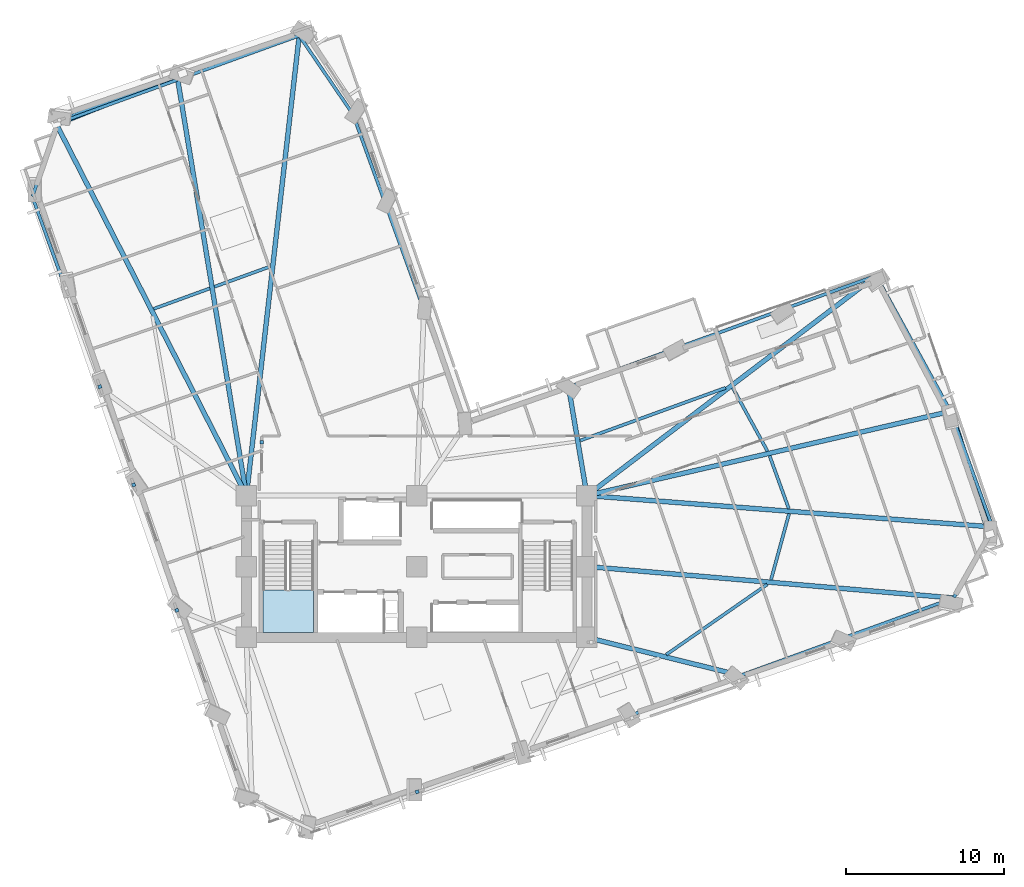
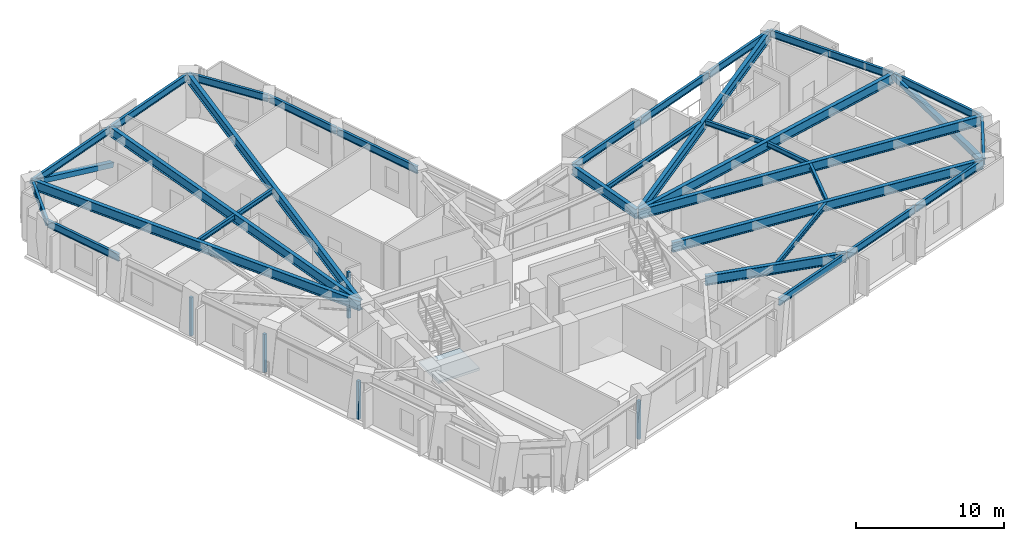
# One storey, part 2 of 15: 32 beams, 5 plates, 2 members, 1 slab, 1 element without a shape of its own.
"""IFC4 building model written with IfcOpenShell, lengths in metres."""

from ifc_helpers import new_model, si_unit, direction, frame, origin, origin_2d, place, context, subcontext, project, spatial, polyline, rectangle, hollow_rectangle, i_section, outline, extrude, material, layer, layer_set, material_profile, profile_set, type_object, element, aggregate, save


model = new_model("IFC4")

# Units and contexts
model_context = context("Model", 3, precision=1e-05, world=origin(), true_north=direction((0.0, 1.0)))
body_context = subcontext(model_context, "Body", "Model", "MODEL_VIEW")
ifc_project = project(units=[si_unit("LENGTHUNIT", "METRE"), si_unit("AREAUNIT", "SQUARE_METRE"), si_unit("VOLUMEUNIT", "CUBIC_METRE"), si_unit("PLANEANGLEUNIT", "RADIAN"), si_unit("MASSUNIT", "GRAM", prefix="KILO")], contexts=[model_context])

# Site, building, storey
site_placement = place(None, origin())
site = spatial("IfcSite", under=ifc_project, at=site_placement, CompositionType="ELEMENT")
building_placement = place(site_placement, origin())
building = spatial("IfcBuilding", under=site, at=building_placement, Name="Gaonmaruhae Medical Tower", CompositionType="ELEMENT")
storey_placement = place(building_placement, frame((0.0, 0.0, 104.39990234375)))
storey = spatial("IfcBuildingStorey", under=building, at=storey_placement, Name="L24", CompositionType="ELEMENT", Elevation=104.39990234375)

# Beams
ifc_material_1 = material(Name="Steel SM355", Category="steel")
ifc_material_profile_1 = material_profile(ifc_material_1, i_section(OverallWidth=0.199951171875, OverallDepth=0.39990234375, WebThickness=0.008056640625, FlangeThickness=0.012939453125, FilletRadius=0.012939453125, at=origin_2d()), Name="H-400x200x8x13")
ifc_profile_set_1 = profile_set([ifc_material_profile_1], Name="Steel SM355")
beam_type_1 = type_object("IfcBeamType", Name="FJ-01 Lower Zone Ward Floor Joist (H-400x200x8x13)", PredefinedType="JOIST", material=ifc_profile_set_1)
beam_1_placement = place(storey_placement, frame((40.632568359375, 6.710693359375, 3.580078125), z_axis=(0.82100347, 0.570923201708, 0.0), x_axis=(-0.570923201708, 0.82100347, 0.0)))
element("IfcBeam", 1, at=beam_1_placement, inside=storey, type_object=beam_type_1, Name="L24 Secondary Floor Joist FJ03", PredefinedType="JOIST", context=body_context, shape_type="SweptSolid", body=[
    extrude(i_section(OverallWidth=0.199951171875, OverallDepth=0.39990234375, WebThickness=0.008056640625, FlangeThickness=0.012939453125, FilletRadius=0.012939453125, at=origin_2d()), origin(), (0.0, 0.0, 1.0), 7.79736328125),
])
beam_2_placement = place(storey_placement, frame((47.2734375, 11.452880859375, 3.580078125), z_axis=(0.263307258771, 0.964712023082, 0.0), x_axis=(-0.964712023082, 0.263307258771, 0.0)))
element("IfcBeam", 2, at=beam_2_placement, inside=storey, type_object=beam_type_1, Name="L24 Secondary Floor Joist FJ04", PredefinedType="JOIST", context=body_context, shape_type="SweptSolid", body=[
    extrude(i_section(OverallWidth=0.199951171875, OverallDepth=0.39990234375, WebThickness=0.008056640625, FlangeThickness=0.012939453125, FilletRadius=0.012939453125, at=origin_2d()), origin(), (0.0, 0.0, 1.0), 4.352294921875),
])
beam_3_placement = place(storey_placement, frame((48.403076171875, 15.965087890625, 3.580078125), z_axis=(-0.34123269089, 0.9399788565, 0.0), x_axis=(-0.9399788565, -0.34123269089, 0.0)))
element("IfcBeam", 3, at=beam_3_placement, inside=storey, type_object=beam_type_1, Name="L24 Secondary Floor Joist FJ05", PredefinedType="JOIST", context=body_context, shape_type="SweptSolid", body=[
    extrude(i_section(OverallWidth=0.199951171875, OverallDepth=0.39990234375, WebThickness=0.008056640625, FlangeThickness=0.012939453125, FilletRadius=0.012939453125, at=origin_2d()), origin(), (0.0, 0.0, 1.0), 3.572265625),
])
beam_4_placement = place(storey_placement, frame((47.052734375, 19.612548828125, 3.580078125), z_axis=(-0.480860322824, 0.876797211408, 0.0), x_axis=(-0.876797211408, -0.480860322824, 0.0)))
element("IfcBeam", 4, at=beam_4_placement, inside=storey, type_object=beam_type_1, Name="L24 Secondary Floor Joist FJ06", PredefinedType="JOIST", context=body_context, shape_type="SweptSolid", body=[
    extrude(i_section(OverallWidth=0.199951171875, OverallDepth=0.39990234375, WebThickness=0.008056640625, FlangeThickness=0.012939453125, FilletRadius=0.012939453125, at=origin_2d()), origin(), (0.0, 0.0, 1.0), 4.588134765625),
])
beam_5_placement = place(storey_placement, frame((44.39404296875, 23.636962890625, 3.580078125), z_axis=(-0.939992241195, -0.341195818398, 0.0), x_axis=(0.341195818398, -0.939992241195, 0.0)))
element("IfcBeam", 5, at=beam_5_placement, inside=storey, type_object=beam_type_1, Name="L24 Secondary Floor Joist FJ07", PredefinedType="JOIST", context=body_context, shape_type="SweptSolid", body=[
    extrude(i_section(OverallWidth=0.199951171875, OverallDepth=0.39990234375, WebThickness=0.008056640625, FlangeThickness=0.012939453125, FilletRadius=0.012939453125, at=origin_2d()), origin(), (0.0, 0.0, 1.0), 9.81591796875),
])
beam_6_placement = place(storey_placement, frame((15.511474609375, 31.328857421875, 3.580078125), z_axis=(-0.939978696317, -0.341233132139, 0.0), x_axis=(0.341233132139, -0.939978696317, 0.0)))
element("IfcBeam", 6, at=beam_6_placement, inside=storey, type_object=beam_type_1, Name="L24 Secondary Floor Joist FJ11", PredefinedType="JOIST", context=body_context, shape_type="SweptSolid", body=[
    extrude(i_section(OverallWidth=0.199951171875, OverallDepth=0.39990234375, WebThickness=0.008056640625, FlangeThickness=0.012939453125, FilletRadius=0.012939453125, at=origin_2d()), origin(), (0.0, 0.0, 1.0), 3.767578125),
])
beam_7_placement = place(storey_placement, frame((11.671630859375, 29.93505859375, 3.580078125), z_axis=(-0.939983526468, -0.341219826458, 0.0), x_axis=(0.341219826458, -0.939983526468, 0.0)))
element("IfcBeam", 7, at=beam_7_placement, inside=storey, type_object=beam_type_1, Name="L24 Secondary Floor Joist FJ12", PredefinedType="JOIST", context=body_context, shape_type="SweptSolid", body=[
    extrude(i_section(OverallWidth=0.199951171875, OverallDepth=0.39990234375, WebThickness=0.008056640625, FlangeThickness=0.012939453125, FilletRadius=0.012939453125, at=origin_2d()), origin(), (0.0, 0.0, 1.0), 3.7841796875),
])

# Members
ifc_material_2 = material(Name="Steel SM420", Category="steel")
ifc_material_profile_2 = material_profile(ifc_material_2, hollow_rectangle(XDim=0.39990234375, YDim=0.39990234375, WallThickness=0.01611328125, at=origin_2d()), Name="RHS-400x400x16")
ifc_profile_set_2 = profile_set([ifc_material_profile_2], Name="Steel SM420")
member_type = type_object("IfcMemberType", Name="PB-01 Perimeter Solid-Bay Tube Brace Lower (RHS-400x400x16)", PredefinedType="BRACE", material=ifc_profile_set_2)
member_1_placement = place(storey_placement, frame((61.153076171875, 14.35107421875, 0.25), z_axis=(-0.282779667984, 0.884022379317, 0.372209742271), x_axis=(-0.95245775965, -0.304670668236, 0.0)))
element("IfcMember", 8, at=member_1_placement, inside=storey, type_object=member_type, Name="L24 Perimeter Tube Solid-Bay Brace E01-E02", PredefinedType="BRACE", context=body_context, shape_type="SweptSolid", body=[
    extrude(hollow_rectangle(XDim=0.39990234375, YDim=0.39990234375, WallThickness=0.01611328125, at=origin_2d()), origin(), (0.0, 0.0, 1.0), 8.812255859375),
])
member_2_placement = place(storey_placement, frame((9.94970703125, 43.572998046875, 0.25), z_axis=(-0.868399886346, -0.345862986957, 0.35533143915), x_axis=(0.370009679979, -0.929027898786, 0.0)))
element("IfcMember", 9, at=member_2_placement, inside=storey, type_object=member_type, Name="L24 Perimeter Tube Solid-Bay Brace N02-N03", PredefinedType="BRACE", context=body_context, shape_type="SweptSolid", body=[
    extrude(hollow_rectangle(XDim=0.39990234375, YDim=0.39990234375, WallThickness=0.01611328125, at=origin_2d()), origin(), (0.0, 0.0, 1.0), 9.23095703125),
])

# Beams
ifc_material_profile_3 = material_profile(ifc_material_2, i_section(OverallWidth=0.300048828125, OverallDepth=0.800048828125, WebThickness=0.013916015625, FlangeThickness=0.02587890625, FilletRadius=0.01806640625, at=origin_2d()), Name="H-800x300x14x26")
ifc_profile_set_3 = profile_set([ifc_material_profile_3], Name="Steel SM420")
beam_type_2 = type_object("IfcBeamType", Name="PG-02 Zone 2 Radial Floor Girder (H-800x300x14x26)", PredefinedType="BEAM", material=ifc_profile_set_3)
beam_8_placement = place(storey_placement, frame((35.6484375, 7.787841796875, 3.380126953125), z_axis=(0.97057370559, -0.240804240034, 0.0), x_axis=(0.240804240034, 0.97057370559, 0.0)))
element("IfcBeam", 10, at=beam_8_placement, inside=storey, type_object=beam_type_2, Name="L24 Radial Primary Girder S05", PredefinedType="BEAM", context=body_context, shape_type="SweptSolid", body=[
    extrude(i_section(OverallWidth=0.300048828125, OverallDepth=0.800048828125, WebThickness=0.013916015625, FlangeThickness=0.02587890625, FilletRadius=0.01806640625, at=origin_2d()), origin(), (0.0, 0.0, 1.0), 9.922607421875),
])
beam_9_placement = place(storey_placement, frame((35.64990234375, 12.295654296875, 3.380126953125), z_axis=(0.996323816003, -0.085667109592, 0.0), x_axis=(0.085667109592, 0.996323816003, 0.0)))
element("IfcBeam", 11, at=beam_9_placement, inside=storey, type_object=beam_type_2, Name="L24 Radial Primary Girder S07", PredefinedType="BEAM", context=body_context, shape_type="SweptSolid", body=[
    extrude(i_section(OverallWidth=0.300048828125, OverallDepth=0.800048828125, WebThickness=0.013916015625, FlangeThickness=0.02587890625, FilletRadius=0.01806640625, at=origin_2d()), origin(), (0.0, 0.0, 1.0), 23.249267578125),
])
beam_10_placement = place(storey_placement, frame((35.64990234375, 16.796142578125, 3.380126953125), z_axis=(0.997018837492, -0.077158523088, 0.0), x_axis=(0.077158523088, 0.997018837492, 0.0)))
element("IfcBeam", 12, at=beam_10_placement, inside=storey, type_object=beam_type_2, Name="L24 Radial Primary Girder E01", PredefinedType="BEAM", context=body_context, shape_type="SweptSolid", body=[
    extrude(i_section(OverallWidth=0.300048828125, OverallDepth=0.800048828125, WebThickness=0.013916015625, FlangeThickness=0.02587890625, FilletRadius=0.01806640625, at=origin_2d()), origin(), (0.0, 0.0, 1.0), 25.69921875),
])
beam_11_placement = place(storey_placement, frame((35.648681640625, 16.811279296875, 3.380126953125), z_axis=(0.974211433842, 0.225637058508, 0.0), x_axis=(-0.225637058508, 0.974211433842, 0.0)))
element("IfcBeam", 13, at=beam_11_placement, inside=storey, type_object=beam_type_2, Name="L24 Radial Primary Girder E02", PredefinedType="BEAM", context=body_context, shape_type="SweptSolid", body=[
    extrude(i_section(OverallWidth=0.300048828125, OverallDepth=0.800048828125, WebThickness=0.013916015625, FlangeThickness=0.02587890625, FilletRadius=0.01806640625, at=origin_2d()), origin(), (0.0, 0.0, 1.0), 23.571533203125),
])
beam_12_placement = place(storey_placement, frame((35.639892578125, 16.830322265625, 3.360107421875), z_axis=(0.795998114529, 0.605299100995, 0.0), x_axis=(-0.605299100995, 0.795998114529, 0.0)))
element("IfcBeam", 14, at=beam_12_placement, inside=storey, type_object=beam_type_2, Name="L24 Radial Primary Girder E03", PredefinedType="BEAM", context=body_context, shape_type="SweptSolid", body=[
    extrude(i_section(OverallWidth=0.300048828125, OverallDepth=0.800048828125, WebThickness=0.013916015625, FlangeThickness=0.02587890625, FilletRadius=0.01806640625, at=origin_2d()), origin(), (0.0, 0.0, 1.0), 22.94189453125),
])
beam_13_placement = place(storey_placement, frame((35.591552734375, 16.849365234375, 3.380126953125), z_axis=(-0.166999249021, 0.985957022809, 0.0), x_axis=(-0.985957022809, -0.166999249021, 0.0)))
element("IfcBeam", 15, at=beam_13_placement, inside=storey, type_object=beam_type_2, Name="L24 Radial Primary Girder EN03", PredefinedType="BEAM", context=body_context, shape_type="SweptSolid", body=[
    extrude(i_section(OverallWidth=0.300048828125, OverallDepth=0.800048828125, WebThickness=0.013916015625, FlangeThickness=0.02587890625, FilletRadius=0.01806640625, at=origin_2d()), origin(), (0.0, 0.0, 1.0), 6.865234375),
])
beam_14_placement = place(storey_placement, frame((14.005615234375, 16.849609375, 3.380126953125), z_axis=(0.114054498893, 0.99347449453, 0.0), x_axis=(-0.99347449453, 0.114054498893, 0.0)))
element("IfcBeam", 16, at=beam_14_placement, inside=storey, type_object=beam_type_2, Name="L24 Radial Primary Girder N01", PredefinedType="BEAM", context=body_context, shape_type="SweptSolid", body=[
    extrude(i_section(OverallWidth=0.300048828125, OverallDepth=0.800048828125, WebThickness=0.013916015625, FlangeThickness=0.02587890625, FilletRadius=0.01806640625, at=origin_2d()), origin(), (0.0, 0.0, 1.0), 29.267822265625),
])
beam_15_placement = place(storey_placement, frame((13.991943359375, 16.849365234375, 3.380126953125), z_axis=(-0.163023948921, 0.986622112097, 0.0), x_axis=(-0.986622112097, -0.163023948921, 0.0)))
element("IfcBeam", 17, at=beam_15_placement, inside=storey, type_object=beam_type_2, Name="L24 Radial Primary Girder N02", PredefinedType="BEAM", context=body_context, shape_type="SweptSolid", body=[
    extrude(i_section(OverallWidth=0.300048828125, OverallDepth=0.800048828125, WebThickness=0.013916015625, FlangeThickness=0.02587890625, FilletRadius=0.01806640625, at=origin_2d()), origin(), (0.0, 0.0, 1.0), 26.635986328125),
])
beam_16_placement = place(storey_placement, frame((13.977294921875, 16.844482421875, 3.380126953125), z_axis=(-0.455531905214, 0.890219457961, 0.0), x_axis=(-0.890219457961, -0.455531905214, 0.0)))
element("IfcBeam", 18, at=beam_16_placement, inside=storey, type_object=beam_type_2, Name="L24 Radial Primary Girder N03", PredefinedType="BEAM", context=body_context, shape_type="SweptSolid", body=[
    extrude(i_section(OverallWidth=0.300048828125, OverallDepth=0.800048828125, WebThickness=0.013916015625, FlangeThickness=0.02587890625, FilletRadius=0.01806640625, at=origin_2d()), origin(), (0.0, 0.0, 1.0), 26.388427734375),
])
ifc_material_profile_4 = material_profile(ifc_material_1, i_section(OverallWidth=0.199951171875, OverallDepth=0.60009765625, WebThickness=0.010986328125, FlangeThickness=0.01708984375, FilletRadius=0.012939453125, at=origin_2d()), Name="H-600x200x11x17")
ifc_profile_set_4 = profile_set([ifc_material_profile_4], Name="Steel SM355")
beam_type_3 = type_object("IfcBeamType", Name="SP-01 Lower Perimeter Spandrel Beam (H-600x200x11x17)", PredefinedType="SPANDREL", material=ifc_profile_set_4)
beam_17_placement = place(storey_placement, frame((38.597412109375, 2.943603515625, 3.47998046875), z_axis=(0.939995495643, 0.341186852283, 0.0), x_axis=(-0.341186852283, 0.939995495643, 0.0)))
element("IfcBeam", 19, at=beam_17_placement, inside=storey, type_object=beam_type_3, Name="L24 Perimeter Spandrel Beam S04-S05", PredefinedType="SPANDREL", context=body_context, shape_type="SweptSolid", body=[
    extrude(i_section(OverallWidth=0.199951171875, OverallDepth=0.60009765625, WebThickness=0.010986328125, FlangeThickness=0.01708984375, FilletRadius=0.012939453125, at=origin_2d()), origin(), (0.0, 0.0, 1.0), 7.119873046875),
])
beam_18_placement = place(storey_placement, frame((45.365234375, 5.400146484375, 3.47998046875), z_axis=(0.939988490084, 0.341206152507, 0.0), x_axis=(-0.341206152507, 0.939988490084, 0.0)))
element("IfcBeam", 20, at=beam_18_placement, inside=storey, type_object=beam_type_3, Name="L24 Perimeter Spandrel Beam S05-S06", PredefinedType="SPANDREL", context=body_context, shape_type="SweptSolid", body=[
    extrude(i_section(OverallWidth=0.199951171875, OverallDepth=0.60009765625, WebThickness=0.010986328125, FlangeThickness=0.01708984375, FilletRadius=0.012939453125, at=origin_2d()), origin(), (0.0, 0.0, 1.0), 7.1201171875),
])
beam_19_placement = place(storey_placement, frame((52.13330078125, 7.856689453125, 3.47998046875), z_axis=(0.939984497953, 0.341217150225, 0.0), x_axis=(-0.341217150225, 0.939984497953, 0.0)))
element("IfcBeam", 21, at=beam_19_placement, inside=storey, type_object=beam_type_3, Name="L24 Perimeter Spandrel Beam S06-S07", PredefinedType="SPANDREL", context=body_context, shape_type="SweptSolid", body=[
    extrude(i_section(OverallWidth=0.199951171875, OverallDepth=0.60009765625, WebThickness=0.010986328125, FlangeThickness=0.01708984375, FilletRadius=0.012939453125, at=origin_2d()), origin(), (0.0, 0.0, 1.0), 7.119873046875),
])
beam_20_placement = place(storey_placement, frame((58.882568359375, 10.3349609375, 3.47998046875), z_axis=(0.478740488201, 0.877956459602, 0.0), x_axis=(-0.877956459602, 0.478740488201, 0.0)))
element("IfcBeam", 22, at=beam_20_placement, inside=storey, type_object=beam_type_3, Name="L24 Perimeter Spandrel Beam S07-E01", PredefinedType="SPANDREL", context=body_context, shape_type="SweptSolid", body=[
    extrude(i_section(OverallWidth=0.199951171875, OverallDepth=0.60009765625, WebThickness=0.010986328125, FlangeThickness=0.01708984375, FilletRadius=0.012939453125, at=origin_2d()), origin(), (0.0, 0.0, 1.0), 5.056396484375),
])
beam_21_placement = place(storey_placement, frame((61.308837890625, 14.846923828125, 3.47998046875), z_axis=(-0.341192007004, 0.939993624636, 0.0), x_axis=(-0.939993624636, -0.341192007004, 0.0)))
element("IfcBeam", 23, at=beam_21_placement, inside=storey, type_object=beam_type_3, Name="L24 Perimeter Spandrel Beam E01-E02", PredefinedType="SPANDREL", context=body_context, shape_type="SweptSolid", body=[
    extrude(i_section(OverallWidth=0.199951171875, OverallDepth=0.60009765625, WebThickness=0.010986328125, FlangeThickness=0.01708984375, FilletRadius=0.012939453125, at=origin_2d()), origin(), (0.0, 0.0, 1.0), 7.719970703125),
])
beam_22_placement = place(storey_placement, frame((58.641845703125, 22.17626953125, 3.47998046875), z_axis=(-0.480836342737, 0.876810362338, 0.0), x_axis=(-0.876810362338, -0.480836342737, 0.0)))
element("IfcBeam", 24, at=beam_22_placement, inside=storey, type_object=beam_type_3, Name="L24 Perimeter Spandrel Beam E02-E03", PredefinedType="SPANDREL", context=body_context, shape_type="SweptSolid", body=[
    extrude(i_section(OverallWidth=0.199951171875, OverallDepth=0.60009765625, WebThickness=0.010986328125, FlangeThickness=0.01708984375, FilletRadius=0.012939453125, at=origin_2d()), origin(), (0.0, 0.0, 1.0), 9.7353515625),
])
beam_23_placement = place(storey_placement, frame((53.90380859375, 30.733642578125, 3.460205078125), z_axis=(-0.940000162189, -0.341173995323, 0.0), x_axis=(0.341173995323, -0.940000162189, 0.0)))
element("IfcBeam", 25, at=beam_23_placement, inside=storey, type_object=beam_type_3, Name="L24 Perimeter Spandrel Beam E03-EN01", PredefinedType="SPANDREL", context=body_context, shape_type="SweptSolid", body=[
    extrude(i_section(OverallWidth=0.199951171875, OverallDepth=0.60009765625, WebThickness=0.010986328125, FlangeThickness=0.01708984375, FilletRadius=0.012939453125, at=origin_2d()), origin(), (0.0, 0.0, 1.0), 6.27001953125),
])
beam_24_placement = place(storey_placement, frame((47.934814453125, 28.567138671875, 3.460205078125), z_axis=(-0.939984497953, -0.341217150225, 0.0), x_axis=(0.341217150225, -0.939984497953, 0.0)))
element("IfcBeam", 26, at=beam_24_placement, inside=storey, type_object=beam_type_3, Name="L24 Perimeter Spandrel Beam EN01-EN02", PredefinedType="SPANDREL", context=body_context, shape_type="SweptSolid", body=[
    extrude(i_section(OverallWidth=0.199951171875, OverallDepth=0.60009765625, WebThickness=0.010986328125, FlangeThickness=0.01708984375, FilletRadius=0.012939453125, at=origin_2d()), origin(), (0.0, 0.0, 1.0), 7.119873046875),
])
for number, where, z_axis, x_axis, name in (
    (27, (41.1669921875, 26.110595703125, 3.47998046875), (-0.939988490084, -0.341206152507, 0.0), (0.341206152507, -0.939988490084, 0.0), "L24 Perimeter Spandrel Beam EN02-EN03"),
    (28, (25.245849609375, 28.61865234375, 3.47998046875), (-0.341206152507, 0.939988490084, 0.0), (-0.939988490084, -0.341206152507, 0.0), "L24 Perimeter Spandrel Beam NE01-NE02"),
):
    element("IfcBeam", number, at=place(storey_placement, frame(where, z_axis=z_axis, x_axis=x_axis)), inside=storey, type_object=beam_type_3, Name=name, PredefinedType="SPANDREL", context=body_context, shape_type="SweptSolid", body=[
        extrude(i_section(OverallWidth=0.199951171875, OverallDepth=0.60009765625, WebThickness=0.010986328125, FlangeThickness=0.01708984375, FilletRadius=0.012939453125, at=origin_2d()), origin(), (0.0, 0.0, 1.0), 7.1201171875),
    ])
beam_25_placement = place(storey_placement, frame((22.7890625, 35.38671875, 3.47998046875), z_axis=(-0.341183394797, 0.939996750587, 0.0), x_axis=(-0.939996750587, -0.341183394797, 0.0)))
element("IfcBeam", 29, at=beam_25_placement, inside=storey, type_object=beam_type_3, Name="L24 Perimeter Spandrel Beam NE02-NE03", PredefinedType="SPANDREL", context=body_context, shape_type="SweptSolid", body=[
    extrude(i_section(OverallWidth=0.199951171875, OverallDepth=0.60009765625, WebThickness=0.010986328125, FlangeThickness=0.01708984375, FilletRadius=0.012939453125, at=origin_2d()), origin(), (0.0, 0.0, 1.0), 5.919921875),
])
beam_26_placement = place(storey_placement, frame((20.73291015625, 41.02197265625, 3.47998046875), z_axis=(-0.563968460324, 0.825796328255, 0.0), x_axis=(-0.825796328255, -0.563968460324, 0.0)))
element("IfcBeam", 30, at=beam_26_placement, inside=storey, type_object=beam_type_3, Name="L24 Perimeter Spandrel Beam NE03-N01", PredefinedType="SPANDREL", context=body_context, shape_type="SweptSolid", body=[
    extrude(i_section(OverallWidth=0.199951171875, OverallDepth=0.60009765625, WebThickness=0.010986328125, FlangeThickness=0.01708984375, FilletRadius=0.012939453125, at=origin_2d()), origin(), (0.0, 0.0, 1.0), 5.959228515625),
])
for number, where, z_axis, x_axis, name in (
    (31, (17.31201171875, 45.96240234375, 3.47998046875), (-0.939993411822, -0.341192593313, 0.0), (0.341192593313, -0.939993411822, 0.0), "L24 Perimeter Spandrel Beam N01-N02"),
    (32, (9.60400390625, 43.16455078125, 3.47998046875), (-0.939993411822, -0.341192593313, 0.0), (0.341192593313, -0.939993411822, 0.0), "L24 Perimeter Spandrel Beam N02-N03"),
):
    element("IfcBeam", number, at=place(storey_placement, frame(where, z_axis=z_axis, x_axis=x_axis)), inside=storey, type_object=beam_type_3, Name=name, PredefinedType="SPANDREL", context=body_context, shape_type="SweptSolid", body=[
        extrude(i_section(OverallWidth=0.199951171875, OverallDepth=0.60009765625, WebThickness=0.010986328125, FlangeThickness=0.01708984375, FilletRadius=0.012939453125, at=origin_2d()), origin(), (0.0, 0.0, 1.0), 8.1201171875),
    ])
beam_27_placement = place(storey_placement, frame((1.92138671875, 40.34228515625, 3.47998046875), z_axis=(-0.30863527629, -0.951180459339, 0.0), x_axis=(0.951180459339, -0.30863527629, 0.0)))
element("IfcBeam", 33, at=beam_27_placement, inside=storey, type_object=beam_type_3, Name="L24 Perimeter Spandrel Beam N03-W01", PredefinedType="SPANDREL", context=body_context, shape_type="SweptSolid", body=[
    extrude(i_section(OverallWidth=0.199951171875, OverallDepth=0.60009765625, WebThickness=0.010986328125, FlangeThickness=0.01708984375, FilletRadius=0.012939453125, at=origin_2d()), origin(), (0.0, 0.0, 1.0), 4.80078125),
])
beam_28_placement = place(storey_placement, frame((0.44091796875, 35.7001953125, 3.47998046875), z_axis=(0.34121882615, -0.939983889586, 0.0), x_axis=(0.939983889586, 0.34121882615, 0.0)))
element("IfcBeam", 34, at=beam_28_placement, inside=storey, type_object=beam_type_3, Name="L24 Perimeter Spandrel Beam W01-W02", PredefinedType="SPANDREL", context=body_context, shape_type="SweptSolid", body=[
    extrude(i_section(OverallWidth=0.199951171875, OverallDepth=0.60009765625, WebThickness=0.010986328125, FlangeThickness=0.01708984375, FilletRadius=0.012939453125, at=origin_2d()), origin(), (0.0, 0.0, 1.0), 6.320068359375),
])

# Plates
ifc_material_3 = material(Name="Anodised aluminium 6063-T6", Category="aluminium")
ifc_layer_1 = layer(ifc_material_3, 0.011962890625)
ifc_layer_set_1 = layer_set([ifc_layer_1], Name="Anodised aluminium 6063-T6")
plate_type = type_object("IfcPlateType", Name="PP-01 Interior Partition Corner Stiffener Plate", PredefinedType="SHEET", material=ifc_layer_set_1)
for number, where, z_axis, x_axis, name in (
    (35, (24.8310546875, -1.994384765625, 0.0), (0.0, 0.0, 1.0), (-0.945807995037, -0.324726402566, 0.0), "L24 Partition Corner Stiffener Plate PLT-L24-JGP-PW007"),
    (36, (9.58544921875, 9.5224609375, 0.0), (0.0, 0.0, 1.0), (-0.325337110968, 0.94559809868, 0.0), "L24 Partition Corner Stiffener Plate PLT-L24-JGP-PW033"),
):
    element("IfcPlate", number, at=place(storey_placement, frame(where, z_axis=z_axis, x_axis=x_axis)), inside=storey, type_object=plate_type, Name=name, PredefinedType="SHEET", context=body_context, shape_type="SweptSolid", body=[
        extrude(rectangle(XDim=0.219970703125, YDim=0.219970703125, at=origin_2d()), origin(), (0.0, 0.0, 1.0), 3.1650390625),
    ])
plate_placement = place(storey_placement, frame((14.969970703125, 20.18701171875, 0.0), z_axis=(0.0, 0.0, 1.0), x_axis=(0.0, -1.0, 0.0)))
element("IfcPlate", 37, at=plate_placement, inside=storey, type_object=plate_type, Name="L24 Partition Corner Stiffener Plate PLT-L24-JGP-PW041", PredefinedType="SHEET", context=body_context, shape_type="SweptSolid", body=[
    extrude(rectangle(XDim=0.219970703125, YDim=0.219970703125, at=origin_2d()), origin(), (0.0, 0.0, 1.0), 3.780029296875),
])
for number, where, z_axis, x_axis, name in (
    (38, (6.845458984375, 17.47998046875, 0.0), (0.0, 0.0, 1.0), (-0.324957497361, 0.945728621175, 0.0), "L24 Partition Corner Stiffener Plate PLT-L24-JGP-PW042"),
    (39, (4.702880859375, 23.70458984375, 0.0), (0.0, 0.0, 1.0), (-0.325683668913, 0.945478792889, 0.0), "L24 Partition Corner Stiffener Plate PLT-L24-JGP-PW048"),
):
    element("IfcPlate", number, at=place(storey_placement, frame(where, z_axis=z_axis, x_axis=x_axis)), inside=storey, type_object=plate_type, Name=name, PredefinedType="SHEET", context=body_context, shape_type="SweptSolid", body=[
        extrude(rectangle(XDim=0.219970703125, YDim=0.219970703125, at=origin_2d()), origin(), (0.0, 0.0, 1.0), 3.1650390625),
    ])

# Stair, slab
ifc_material_4 = material(Name="Concrete C40/50", Category="concrete")
stair_type = type_object("IfcStairType", Name="ST-T1 Primary Core Escape Dogleg Stair", PredefinedType="TWO_QUARTER_TURN_STAIR", material=ifc_material_4)
stair_placement = place(storey_placement, origin())
stair = element("IfcStair", 40, at=stair_placement, inside=storey, type_object=stair_type, Name="L24 Protected Escape Stair ST-01", PredefinedType="TWO_QUARTER_TURN_STAIR")
ifc_layer_2 = layer(ifc_material_4, 0.199951171875)
ifc_layer_set_2 = layer_set([ifc_layer_2], Name="Concrete C40/50")
slab_type = type_object("IfcSlabType", Name="SL-200 Stair & Ramp Intermediate Concrete Landing", PredefinedType="LANDING", material=ifc_layer_set_2)
slab_placement = place(storey_placement, frame((0.0, 0.0, 1.800048828125)))
slab = element("IfcSlab", 41, at=slab_placement, type_object=slab_type, Name="ST-01 landing 1", PredefinedType="LANDING", context=body_context, shape_type="SweptSolid", body=[
    extrude(outline(polyline([(15.050048828125, 10.820068359375), (15.050048828125, 8.12890625), (18.25, 8.12890625), (18.25, 10.820068359375), (15.050048828125, 10.820068359375)])), origin(), (0.0, 0.0, 1.0), 0.199951171875),
])
aggregate(stair, [slab])

save(model, "model.ifc")
